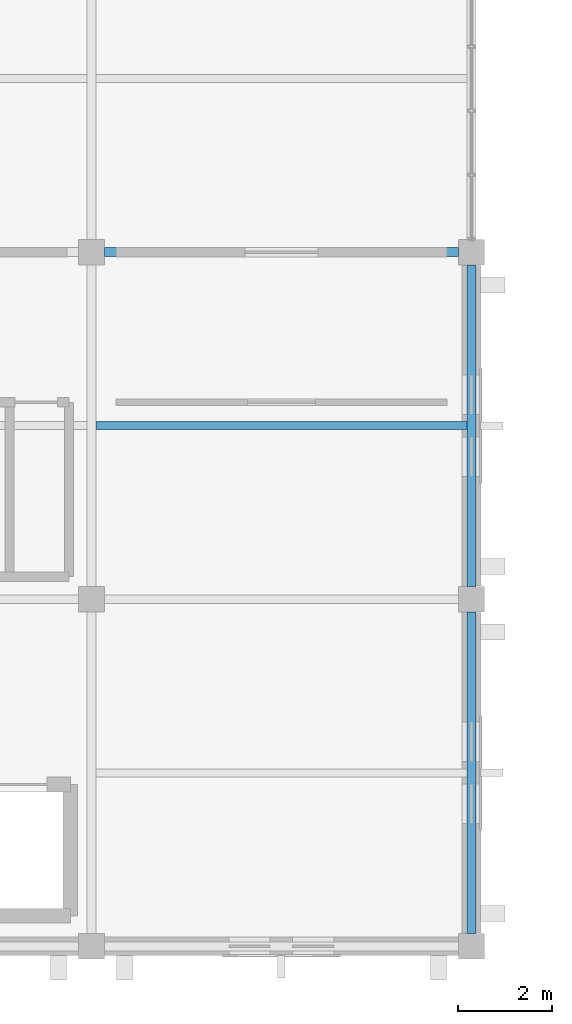
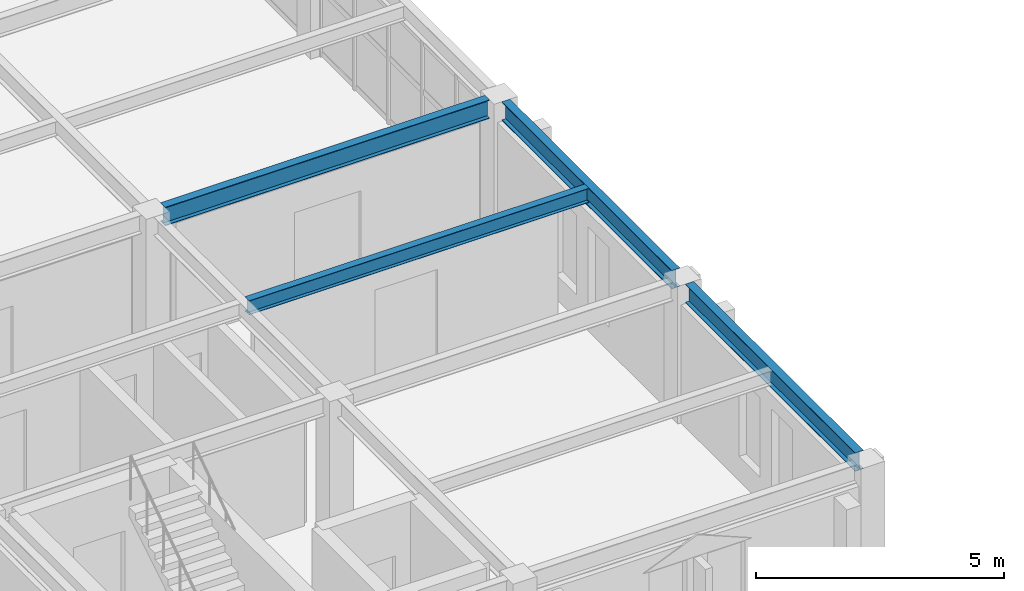
# One storey, part 9 of 93: 4 beams.
"""IFC4 building model written with IfcOpenShell, lengths in metres."""

from ifc_helpers import new_model, si_unit, direction, frame, origin, origin_2d, place, context, subcontext, project, spatial, i_section, extrude, material, material_profile, profile_set, type_object, element, save


model = new_model("IFC4")

# Units and contexts
model_context = context("Model", 3, precision=1e-05, world=origin(), true_north=direction((0.0, 1.0)))
body_context = subcontext(model_context, "Body", "Model", "MODEL_VIEW")
ifc_project = project(units=[si_unit("LENGTHUNIT", "METRE"), si_unit("AREAUNIT", "SQUARE_METRE"), si_unit("VOLUMEUNIT", "CUBIC_METRE"), si_unit("PLANEANGLEUNIT", "RADIAN"), si_unit("MASSUNIT", "GRAM", prefix="KILO")], contexts=[model_context])

# Site, building, storey
site_placement = place(None, origin())
site = spatial("IfcSite", under=ifc_project, at=site_placement, CompositionType="ELEMENT")
building_placement = place(site_placement, origin())
building = spatial("IfcBuilding", under=site, at=building_placement, Name="Cimatlan Art Gallery", CompositionType="ELEMENT")
storey_placement = place(building_placement, frame((0.0, 0.0, 13.800048828125)))
storey = spatial("IfcBuildingStorey", under=building, at=storey_placement, Name="L03", CompositionType="ELEMENT", Elevation=13.800048828125)

# Beams
ifc_material = material(Name="Steel ASTM A992 Grade 50", Category="steel")
ifc_material_profile_1 = material_profile(ifc_material, i_section(OverallWidth=0.1708984375, OverallDepth=0.35107421875, WebThickness=0.0068359375, FlangeThickness=0.009765625, at=origin_2d()), Name="W14X30")
ifc_profile_set_1 = profile_set([ifc_material_profile_1], Name="Steel ASTM A992 Grade 50")
beam_type_1 = type_object("IfcBeamType", Name="BM-STL-W14X30", PredefinedType="JOIST", material=ifc_profile_set_1)
beam_1_placement = place(storey_placement, frame((42.595458984375, 35.0, 3.204345703125), z_axis=(1.0, 0.0, 0.0), x_axis=(0.0, 1.0, 0.0)))
element("IfcBeam", 1, at=beam_1_placement, inside=storey, type_object=beam_type_1, Name="JST-L03-05-04", PredefinedType="JOIST", context=body_context, shape_type="SweptSolid", body=[
    extrude(i_section(OverallWidth=0.1708984375, OverallDepth=0.35107421875, WebThickness=0.0068359375, FlangeThickness=0.009765625, at=origin_2d()), origin(), (0.0, 0.0, 1.0), 7.908935546875),
])
ifc_material_profile_2 = material_profile(ifc_material, i_section(OverallWidth=0.19091796875, OverallDepth=0.45703125, WebThickness=0.009033203125, FlangeThickness=0.014404296875, at=origin_2d()), Name="W18X50")
ifc_profile_set_2 = profile_set([ifc_material_profile_2], Name="Steel ASTM A992 Grade 50")
beam_type_2 = type_object("IfcBeamType", Name="BM-STL-W18X50", PredefinedType="BEAM", material=ifc_profile_set_2)
beam_2_placement = place(storey_placement, frame((50.60009765625, 24.175048828125, 3.1513671875), z_axis=(0.0, 1.0, 0.0), x_axis=(-1.0, 0.0, 0.0)))
element("IfcBeam", 2, at=beam_2_placement, inside=storey, type_object=beam_type_2, Name="BM-Y-L03-06-03", PredefinedType="BEAM", context=body_context, shape_type="SweptSolid", body=[
    extrude(i_section(OverallWidth=0.19091796875, OverallDepth=0.45703125, WebThickness=0.009033203125, FlangeThickness=0.014404296875, at=origin_2d()), origin(), (0.0, 0.0, 1.0), 6.849853515625),
])
beam_3_placement = place(storey_placement, frame((50.60009765625, 31.574951171875, 3.1513671875), z_axis=(0.0, 1.0, 0.0), x_axis=(-1.0, 0.0, 0.0)))
element("IfcBeam", 3, at=beam_3_placement, inside=storey, type_object=beam_type_2, Name="BM-Y-L03-06-04", PredefinedType="BEAM", context=body_context, shape_type="SweptSolid", body=[
    extrude(i_section(OverallWidth=0.19091796875, OverallDepth=0.45703125, WebThickness=0.009033203125, FlangeThickness=0.014404296875, at=origin_2d()), origin(), (0.0, 0.0, 1.0), 6.85009765625),
])
beam_4_placement = place(storey_placement, frame((42.77490234375, 38.699951171875, 3.1513671875), z_axis=(1.0, 0.0, 0.0), x_axis=(0.0, 1.0, 0.0)))
element("IfcBeam", 4, at=beam_4_placement, inside=storey, type_object=beam_type_2, Name="BM-X-L03-05-05", PredefinedType="BEAM", context=body_context, shape_type="SweptSolid", body=[
    extrude(i_section(OverallWidth=0.19091796875, OverallDepth=0.45703125, WebThickness=0.009033203125, FlangeThickness=0.014404296875, at=origin_2d()), origin(), (0.0, 0.0, 1.0), 7.550048828125),
])

save(model, "model.ifc")
